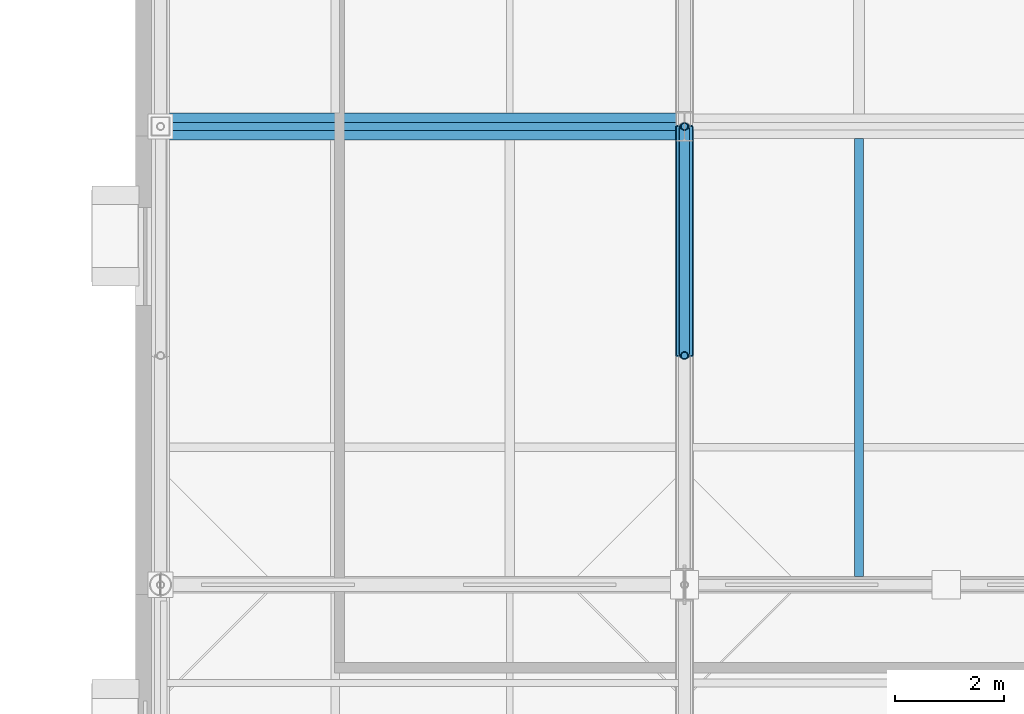
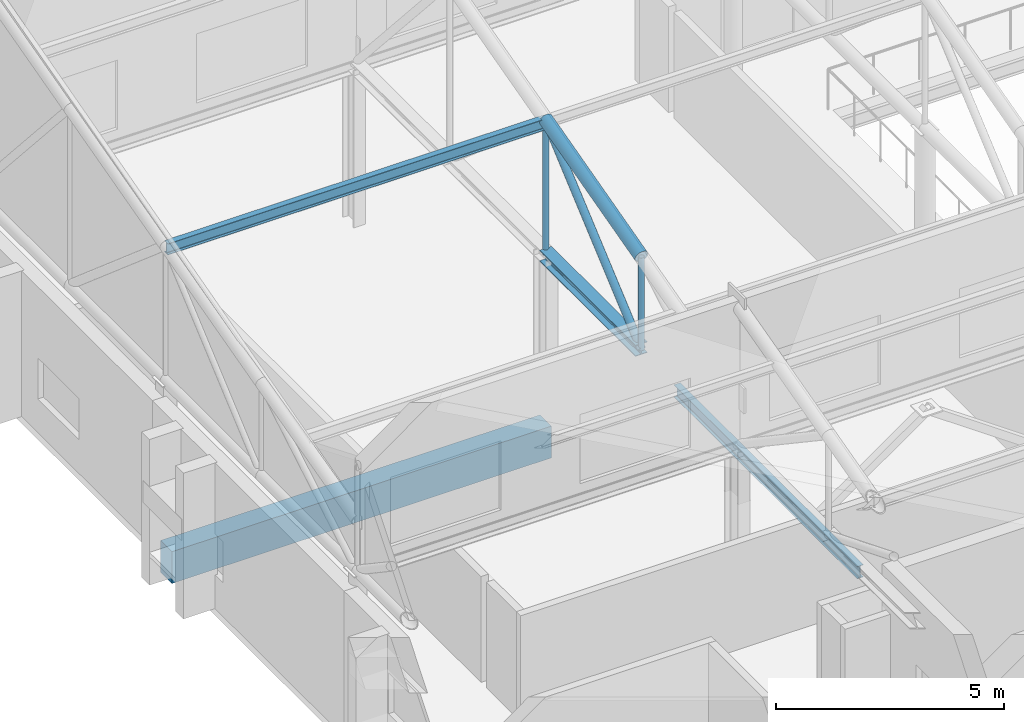
# One storey, part 19 of 89: 6 members, 2 beams.
"""IFC4 building model written with IfcOpenShell, lengths in metres."""

from ifc_helpers import new_model, si_unit, direction, frame, origin, origin_2d, place, context, subcontext, project, spatial, rectangle, hollow_circle, i_section, extrude, material, material_profile, profile_set, type_object, element, save


model = new_model("IFC4")

# Units and contexts
model_context = context("Model", 3, precision=1e-05, world=origin(), true_north=direction((0.0, 1.0)))
body_context = subcontext(model_context, "Body", "Model", "MODEL_VIEW")
ifc_project = project(units=[si_unit("LENGTHUNIT", "METRE"), si_unit("AREAUNIT", "SQUARE_METRE"), si_unit("VOLUMEUNIT", "CUBIC_METRE"), si_unit("PLANEANGLEUNIT", "RADIAN"), si_unit("MASSUNIT", "GRAM", prefix="KILO")], contexts=[model_context])

# Site, building, storey
site_placement = place(None, origin())
site = spatial("IfcSite", under=ifc_project, at=site_placement, CompositionType="ELEMENT")
building_placement = place(site_placement, origin())
building = spatial("IfcBuilding", under=site, at=building_placement, Name="Zereglee Splitstone Museum", CompositionType="ELEMENT")
storey_placement = place(building_placement, frame((0.0, 0.0, 21.300048828125)))
storey = spatial("IfcBuildingStorey", under=building, at=storey_placement, Name="L04", CompositionType="ELEMENT", Elevation=21.300048828125)

# Beam
ifc_material_1 = material(Name="Concrete C40/50", Category="concrete")
ifc_material_profile_1 = material_profile(ifc_material_1, rectangle(XDim=0.5, YDim=0.85009765625, at=origin_2d()), Name="RC 500x850")
ifc_profile_set_1 = profile_set([ifc_material_profile_1], Name="Concrete C40/50")
beam_type_1 = type_object("IfcBeamType", Name="BG-02", PredefinedType="BEAM", material=ifc_profile_set_1)
beam_1_placement = place(storey_placement, frame((78.0, 30.0, -0.68505859375), z_axis=(1.0, 0.0, 0.0), x_axis=(0.0, 1.0, 0.0)))
element("IfcBeam", 1, at=beam_1_placement, inside=storey, type_object=beam_type_1, Name="Primary Girder L04 D (78.0-87.6)", PredefinedType="BEAM", context=body_context, shape_type="SweptSolid", body=[
    extrude(rectangle(XDim=0.5, YDim=0.85009765625, at=origin_2d()), origin(), (0.0, 0.0, 1.0), 9.60009765625),
])

# Members
ifc_material_2 = material(Name="Steel S355J2H", Category="steel")
ifc_material_profile_2 = material_profile(ifc_material_2, hollow_circle(Radius=0.096923828125, WallThickness=0.010009765625, at=origin_2d()), Name="CHS 193.7x10")
ifc_profile_set_2 = profile_set([ifc_material_profile_2], Name="Steel S355J2H")
member_type_1 = type_object("IfcMemberType", Name="TB-04", PredefinedType="BRACE", material=ifc_profile_set_2)
member_1_placement = place(storey_placement, frame((87.60009765625, 25.800048828125, 4.199951171875), z_axis=(0.0, 0.759244140748, 0.650805911728), x_axis=(-1.0, 0.0, 0.0)))
element("IfcMember", 2, at=member_1_placement, inside=storey, type_object=member_type_1, Name="Roof Truss ST-02 Diagonal 2.2", PredefinedType="BRACE", context=body_context, shape_type="SweptSolid", body=[
    extrude(hollow_circle(Radius=0.096923828125, WallThickness=0.010009765625, at=origin_2d()), origin(), (0.0, 0.0, 1.0), 5.53173828125),
])
ifc_material_profile_3 = material_profile(ifc_material_2, hollow_circle(Radius=0.161865234375, WallThickness=0.01611328125, at=origin_2d()), Name="CHS 323.9x16")
ifc_profile_set_3 = profile_set([ifc_material_profile_3], Name="Steel S355J2H")
member_type_2 = type_object("IfcMemberType", Name="TC-05", PredefinedType="CHORD", material=ifc_profile_set_3)
member_2_placement = place(storey_placement, frame((87.60009765625, 25.800048828125, 6.675048828125), z_axis=(0.0, 0.965947299715, 0.258738891884), x_axis=(-1.0, 0.0, 0.0)))
element("IfcMember", 3, at=member_2_placement, inside=storey, type_object=member_type_2, Name="Roof Truss ST-02 Top Chord 2.2", PredefinedType="CHORD", context=body_context, shape_type="SweptSolid", body=[
    extrude(hollow_circle(Radius=0.161865234375, WallThickness=0.01611328125, at=origin_2d()), origin(), (0.0, 0.0, 1.0), 4.347900390625),
])
ifc_material_3 = material(Name="Steel S355J2", Category="steel")
ifc_material_profile_4 = material_profile(ifc_material_3, i_section(OverallWidth=0.300048828125, OverallDepth=0.300048828125, WebThickness=0.010986328125, FlangeThickness=0.01904296875, FilletRadius=0.027099609375, at=origin_2d()), Name="HE 300 B")
ifc_profile_set_4 = profile_set([ifc_material_profile_4], Name="Steel S355J2")
member_type_3 = type_object("IfcMemberType", Name="TC-07", PredefinedType="CHORD", material=ifc_profile_set_4)
member_3_placement = place(storey_placement, frame((87.60009765625, 25.800048828125, 4.199951171875), z_axis=(0.0, 1.0, 0.0), x_axis=(-1.0, 0.0, 0.0)))
element("IfcMember", 4, at=member_3_placement, inside=storey, type_object=member_type_3, Name="Roof Truss ST-02 Bottom Chord 2.2", PredefinedType="CHORD", context=body_context, shape_type="SweptSolid", body=[
    extrude(i_section(OverallWidth=0.300048828125, OverallDepth=0.300048828125, WebThickness=0.010986328125, FlangeThickness=0.01904296875, FilletRadius=0.027099609375, at=origin_2d()), origin(), (0.0, 0.0, 1.0), 4.199951171875),
])

# Beam
ifc_material_profile_5 = material_profile(ifc_material_3, i_section(OverallWidth=0.159912109375, OverallDepth=0.330078125, WebThickness=0.007568359375, FlangeThickness=0.011474609375, FilletRadius=0.01806640625, at=origin_2d()), Name="IPE 330")
ifc_profile_set_5 = profile_set([ifc_material_profile_5], Name="Steel S355J2")
beam_type_2 = type_object("IfcBeamType", Name="BJ-05", PredefinedType="JOIST", material=ifc_profile_set_5)
beam_2_placement = place(storey_placement, frame((90.800048828125, 21.75, -0.425048828125), z_axis=(0.0, 1.0, 0.0), x_axis=(-1.0, 0.0, 0.0)))
element("IfcBeam", 5, at=beam_2_placement, inside=storey, type_object=beam_type_2, Name="Secondary Floor Joist L04-1530", PredefinedType="JOIST", context=body_context, shape_type="SweptSolid", body=[
    extrude(i_section(OverallWidth=0.159912109375, OverallDepth=0.330078125, WebThickness=0.007568359375, FlangeThickness=0.011474609375, FilletRadius=0.01806640625, at=origin_2d()), origin(), (0.0, 0.0, 1.0), 8.02490234375),
])

# Members
ifc_material_profile_6 = material_profile(ifc_material_2, hollow_circle(Radius=0.06982421875, WallThickness=0.008056640625, at=origin_2d()), Name="CHS 139.7x8")
ifc_profile_set_6 = profile_set([ifc_material_profile_6], Name="Steel S355J2H")
member_type_4 = type_object("IfcMemberType", Name="TP-03", PredefinedType="POST", material=ifc_profile_set_6)
member_4_placement = place(storey_placement, frame((87.60009765625, 25.800048828125, 4.199951171875), z_axis=(0.0, 0.0, 1.0), x_axis=(1.0, 0.0, 0.0)))
element("IfcMember", 6, at=member_4_placement, inside=storey, type_object=member_type_4, Name="Roof Truss ST-02 Post 2.1", PredefinedType="POST", context=body_context, shape_type="SweptSolid", body=[
    extrude(hollow_circle(Radius=0.06982421875, WallThickness=0.008056640625, at=origin_2d()), origin(), (0.0, 0.0, 1.0), 2.47509765625),
])
member_5_placement = place(storey_placement, frame((87.60009765625, 30.0, 4.199951171875), z_axis=(0.0, 0.0, 1.0), x_axis=(1.0, 0.0, 0.0)))
element("IfcMember", 7, at=member_5_placement, inside=storey, type_object=member_type_4, Name="Roof Truss ST-02 Post 2.2", PredefinedType="POST", context=body_context, shape_type="SweptSolid", body=[
    extrude(hollow_circle(Radius=0.06982421875, WallThickness=0.008056640625, at=origin_2d()), origin(), (0.0, 0.0, 1.0), 3.60009765625),
])
ifc_material_profile_7 = material_profile(ifc_material_3, i_section(OverallWidth=0.14990234375, OverallDepth=0.300048828125, WebThickness=0.007080078125, FlangeThickness=0.0107421875, FilletRadius=0.014892578125, at=origin_2d()), Name="IPE 300")
ifc_profile_set_7 = profile_set([ifc_material_profile_7], Name="Steel S355J2")
member_type_5 = type_object("IfcMemberType", Name="PR-01", PredefinedType="PURLIN", material=ifc_profile_set_7)
member_6_placement = place(storey_placement, frame((78.0, 30.0, 7.722900390625), z_axis=(1.0, 0.0, 0.0), x_axis=(0.0, 1.0, 0.0)))
element("IfcMember", 8, at=member_6_placement, inside=storey, type_object=member_type_5, Name="Sawtooth Roof Purlin B1-S2-2", PredefinedType="PURLIN", context=body_context, shape_type="SweptSolid", body=[
    extrude(i_section(OverallWidth=0.14990234375, OverallDepth=0.300048828125, WebThickness=0.007080078125, FlangeThickness=0.0107421875, FilletRadius=0.014892578125, at=origin_2d()), origin(), (0.0, 0.0, 1.0), 9.60009765625),
])

save(model, "model.ifc")
